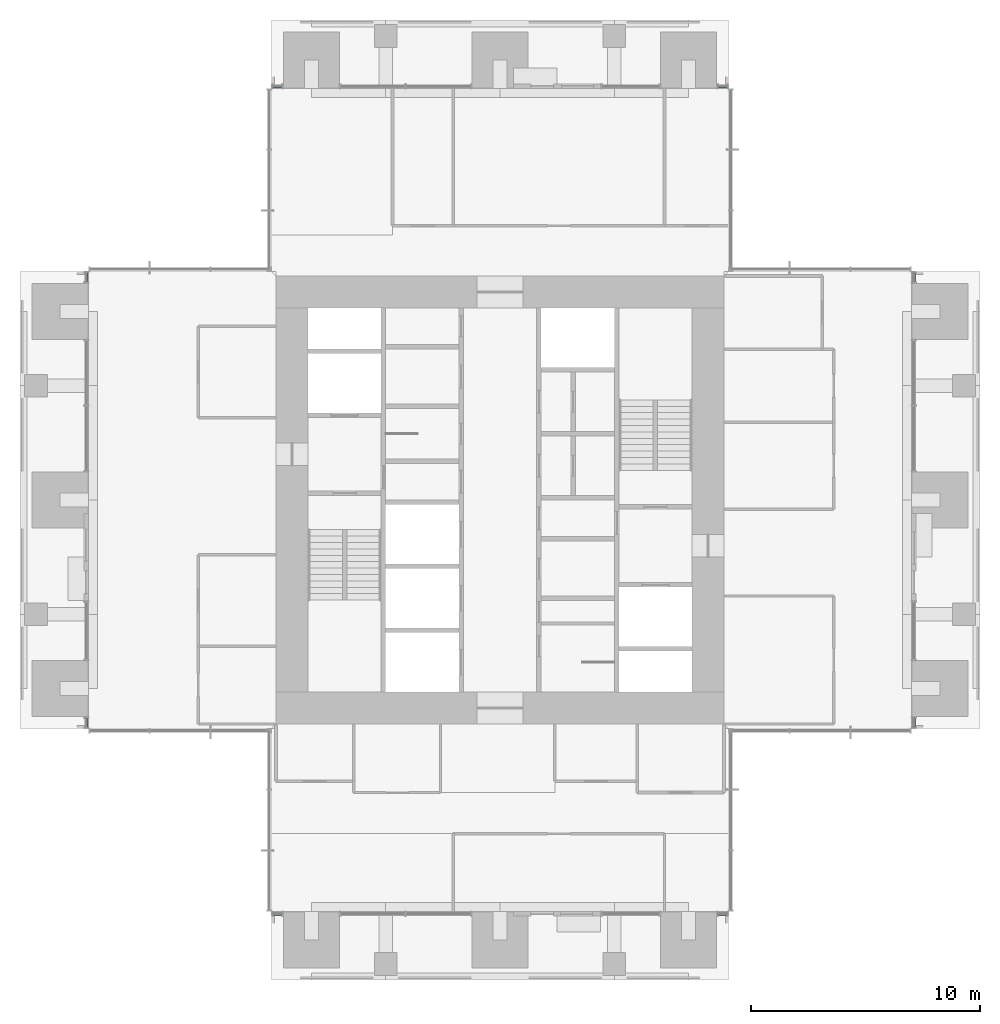
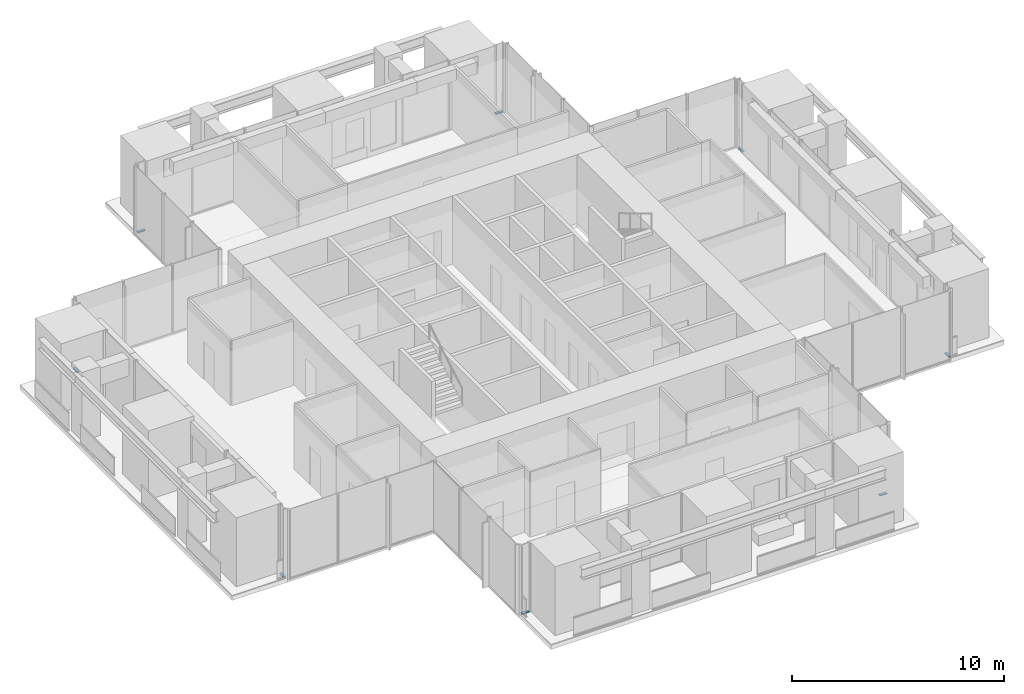
# One storey, part 6 of 17: 8 members, 8 elements without a shape of their own.
"""IFC4 building model written with IfcOpenShell, lengths in metres."""

from ifc_helpers import new_model, si_unit, direction, frame, origin, origin_2d, place, context, subcontext, project, spatial, rectangle, extrude, material, material_profile, profile_set, type_object, element, aggregate, save


model = new_model("IFC4")

# Units and contexts
model_context = context("Model", 3, precision=1e-05, world=origin(), true_north=direction((0.0, 1.0)))
body_context = subcontext(model_context, "Body", "Model", "MODEL_VIEW")
ifc_project = project(units=[si_unit("LENGTHUNIT", "METRE"), si_unit("AREAUNIT", "SQUARE_METRE"), si_unit("VOLUMEUNIT", "CUBIC_METRE"), si_unit("PLANEANGLEUNIT", "RADIAN"), si_unit("MASSUNIT", "GRAM", prefix="KILO")], contexts=[model_context])

# Site, building, storey
site_placement = place(None, origin())
site = spatial("IfcSite", under=ifc_project, at=site_placement, CompositionType="ELEMENT")
building_placement = place(site_placement, origin())
building = spatial("IfcBuilding", under=site, at=building_placement, Name="Svetlomir Tower", CompositionType="ELEMENT")
storey_placement = place(building_placement, frame((0.0, 0.0, 194.5)))
storey = spatial("IfcBuildingStorey", under=building, at=storey_placement, Name="L46", CompositionType="ELEMENT", Elevation=194.5)

# Curtain wall, member
ifc_material_1 = material(Name="Bronze anodised aluminium curtain wall", Category="aluminium")
curtain_wall_type = type_object("IfcCurtainWallType", Name="CURTAIN WALL CW1 TOWER OFFICE", PredefinedType="NOTDEFINED", material=ifc_material_1)
curtain_wall_1_placement = place(storey_placement, origin())
curtain_wall_1 = element("IfcCurtainWall", 1, at=curtain_wall_1_placement, inside=storey, type_object=curtain_wall_type, Name="Curtain wall CW1 L46", PredefinedType="NOTDEFINED")
ifc_material_2 = material(Name="Bronze anodised aluminium", Category="aluminium")
ifc_material_profile = material_profile(ifc_material_2, rectangle(XDim=0.139892578125, YDim=0.06494140625, at=origin_2d()), Name="AL 140x65")
ifc_profile_set = profile_set([ifc_material_profile], Name="Bronze anodised aluminium 6063-T6")
member_type = type_object("IfcMemberType", Name="CW1 TRANSOM 65x140", PredefinedType="USERDEFINED", material=ifc_profile_set)
member_1_placement = place(storey_placement, frame((11.06494140625, 2.89990234375, 0.032470703125), z_axis=(1.0, 0.0, 0.0), x_axis=(0.0, 1.0, 0.0)))
member_1 = element("IfcMember", 2, at=member_1_placement, type_object=member_type, Name="CW1 transom 1.1", ObjectType="TRANSOM", PredefinedType="USERDEFINED", context=body_context, shape_type="SweptSolid", body=[
    extrude(rectangle(XDim=0.139892578125, YDim=0.06494140625, at=origin_2d()), origin(), (0.0, 0.0, 1.0), 0.39501953125),
])
aggregate(curtain_wall_1, [member_1])

curtain_wall_2_placement = place(storey_placement, origin())
curtain_wall_2 = element("IfcCurtainWall", 3, at=curtain_wall_2_placement, inside=storey, type_object=curtain_wall_type, Name="Curtain wall CW1 L46", PredefinedType="NOTDEFINED")
member_2_placement = place(storey_placement, frame((30.5400390625, 2.89990234375, 0.032470703125), z_axis=(1.0, 0.0, 0.0), x_axis=(0.0, 1.0, 0.0)))
member_2 = element("IfcMember", 4, at=member_2_placement, type_object=member_type, Name="CW1 transom 1.1", ObjectType="TRANSOM", PredefinedType="USERDEFINED", context=body_context, shape_type="SweptSolid", body=[
    extrude(rectangle(XDim=0.139892578125, YDim=0.06494140625, at=origin_2d()), origin(), (0.0, 0.0, 1.0), 0.39501953125),
])
aggregate(curtain_wall_2, [member_2])

curtain_wall_3_placement = place(storey_placement, origin())
curtain_wall_3 = element("IfcCurtainWall", 5, at=curtain_wall_3_placement, inside=storey, type_object=curtain_wall_type, Name="Curtain wall CW1 L46", PredefinedType="NOTDEFINED")
member_3_placement = place(storey_placement, frame((39.10009765625, 11.06494140625, 0.032470703125), z_axis=(0.0, 1.0, 0.0), x_axis=(-1.0, 0.0, 0.0)))
member_3 = element("IfcMember", 6, at=member_3_placement, type_object=member_type, Name="CW1 transom 1.1", ObjectType="TRANSOM", PredefinedType="USERDEFINED", context=body_context, shape_type="SweptSolid", body=[
    extrude(rectangle(XDim=0.139892578125, YDim=0.06494140625, at=origin_2d()), origin(), (0.0, 0.0, 1.0), 0.39501953125),
])
aggregate(curtain_wall_3, [member_3])

curtain_wall_4_placement = place(storey_placement, origin())
curtain_wall_4 = element("IfcCurtainWall", 7, at=curtain_wall_4_placement, inside=storey, type_object=curtain_wall_type, Name="Curtain wall CW1 L46", PredefinedType="NOTDEFINED")
member_4_placement = place(storey_placement, frame((39.10009765625, 30.5400390625, 0.032470703125), z_axis=(0.0, 1.0, 0.0), x_axis=(-1.0, 0.0, 0.0)))
member_4 = element("IfcMember", 8, at=member_4_placement, type_object=member_type, Name="CW1 transom 1.1", ObjectType="TRANSOM", PredefinedType="USERDEFINED", context=body_context, shape_type="SweptSolid", body=[
    extrude(rectangle(XDim=0.139892578125, YDim=0.06494140625, at=origin_2d()), origin(), (0.0, 0.0, 1.0), 0.39501953125),
])
aggregate(curtain_wall_4, [member_4])

curtain_wall_5_placement = place(storey_placement, origin())
curtain_wall_5 = element("IfcCurtainWall", 9, at=curtain_wall_5_placement, inside=storey, type_object=curtain_wall_type, Name="Curtain wall CW1 L46", PredefinedType="NOTDEFINED")
member_5_placement = place(storey_placement, frame((30.93505859375, 39.10009765625, 0.032470703125), z_axis=(-1.0, 0.0, 0.0), x_axis=(0.0, -1.0, 0.0)))
member_5 = element("IfcMember", 10, at=member_5_placement, type_object=member_type, Name="CW1 transom 1.1", ObjectType="TRANSOM", PredefinedType="USERDEFINED", context=body_context, shape_type="SweptSolid", body=[
    extrude(rectangle(XDim=0.139892578125, YDim=0.06494140625, at=origin_2d()), origin(), (0.0, 0.0, 1.0), 0.39501953125),
])
aggregate(curtain_wall_5, [member_5])

curtain_wall_6_placement = place(storey_placement, origin())
curtain_wall_6 = element("IfcCurtainWall", 11, at=curtain_wall_6_placement, inside=storey, type_object=curtain_wall_type, Name="Curtain wall CW1 L46", PredefinedType="NOTDEFINED")
member_6_placement = place(storey_placement, frame((11.4599609375, 39.10009765625, 0.032470703125), z_axis=(-1.0, 0.0, 0.0), x_axis=(0.0, -1.0, 0.0)))
member_6 = element("IfcMember", 12, at=member_6_placement, type_object=member_type, Name="CW1 transom 1.1", ObjectType="TRANSOM", PredefinedType="USERDEFINED", context=body_context, shape_type="SweptSolid", body=[
    extrude(rectangle(XDim=0.139892578125, YDim=0.06494140625, at=origin_2d()), origin(), (0.0, 0.0, 1.0), 0.39501953125),
])
aggregate(curtain_wall_6, [member_6])

curtain_wall_7_placement = place(storey_placement, origin())
curtain_wall_7 = element("IfcCurtainWall", 13, at=curtain_wall_7_placement, inside=storey, type_object=curtain_wall_type, Name="Curtain wall CW1 L46", PredefinedType="NOTDEFINED")
member_7_placement = place(storey_placement, frame((2.89990234375, 30.93505859375, 0.032470703125), z_axis=(0.0, -1.0, 0.0), x_axis=(1.0, 0.0, 0.0)))
member_7 = element("IfcMember", 14, at=member_7_placement, type_object=member_type, Name="CW1 transom 1.1", ObjectType="TRANSOM", PredefinedType="USERDEFINED", context=body_context, shape_type="SweptSolid", body=[
    extrude(rectangle(XDim=0.139892578125, YDim=0.06494140625, at=origin_2d()), origin(), (0.0, 0.0, 1.0), 0.39501953125),
])
aggregate(curtain_wall_7, [member_7])

curtain_wall_8_placement = place(storey_placement, origin())
curtain_wall_8 = element("IfcCurtainWall", 15, at=curtain_wall_8_placement, inside=storey, type_object=curtain_wall_type, Name="Curtain wall CW1 L46", PredefinedType="NOTDEFINED")
member_8_placement = place(storey_placement, frame((2.89990234375, 11.4599609375, 0.032470703125), z_axis=(0.0, -1.0, 0.0), x_axis=(1.0, 0.0, 0.0)))
member_8 = element("IfcMember", 16, at=member_8_placement, type_object=member_type, Name="CW1 transom 1.1", ObjectType="TRANSOM", PredefinedType="USERDEFINED", context=body_context, shape_type="SweptSolid", body=[
    extrude(rectangle(XDim=0.139892578125, YDim=0.06494140625, at=origin_2d()), origin(), (0.0, 0.0, 1.0), 0.39501953125),
])
aggregate(curtain_wall_8, [member_8])

save(model, "model.ifc")
